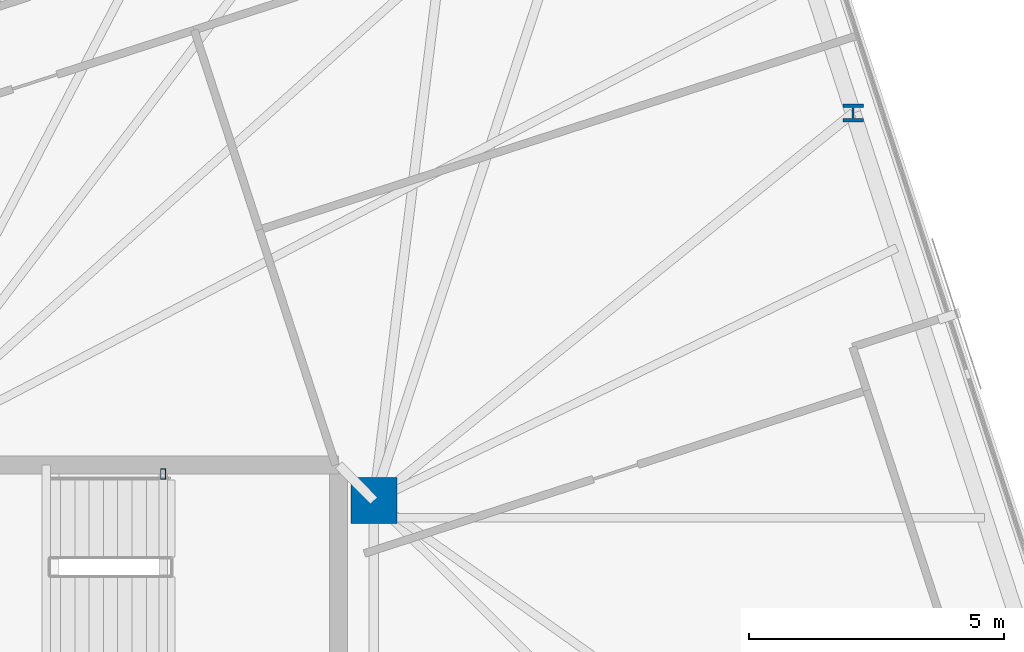
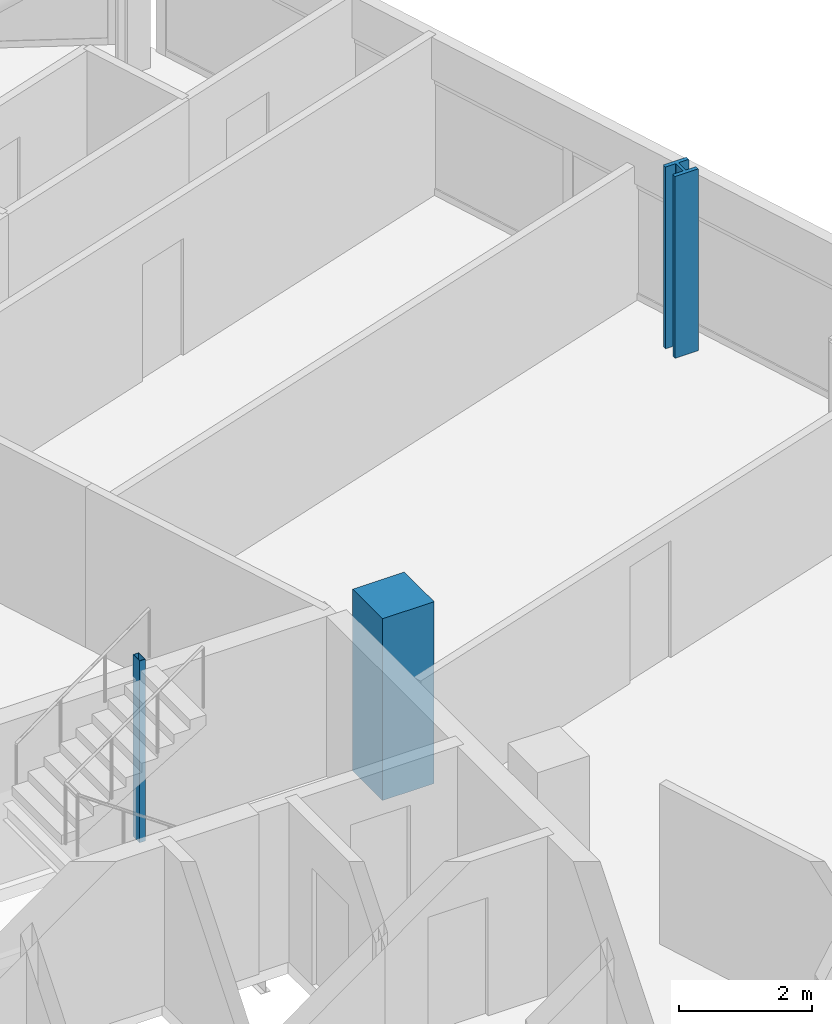
# One storey, part 3 of 19: 3 columns.
"""IFC4 building model written with IfcOpenShell, lengths in metres."""

from ifc_helpers import new_model, si_unit, direction, frame, origin, origin_2d, place, context, subcontext, project, spatial, rectangle, hollow_rectangle, i_section, extrude, material, material_profile, profile_set, type_object, element, save


model = new_model("IFC4")

# Units and contexts
model_context = context("Model", 3, precision=1e-05, world=origin(), true_north=direction((0.0, 1.0)))
body_context = subcontext(model_context, "Body", "Model", "MODEL_VIEW")
ifc_project = project(units=[si_unit("LENGTHUNIT", "METRE"), si_unit("AREAUNIT", "SQUARE_METRE"), si_unit("VOLUMEUNIT", "CUBIC_METRE"), si_unit("PLANEANGLEUNIT", "RADIAN"), si_unit("MASSUNIT", "GRAM", prefix="KILO")], contexts=[model_context])

# Site, building, storey
site_placement = place(None, origin())
site = spatial("IfcSite", under=ifc_project, at=site_placement, CompositionType="ELEMENT")
building_placement = place(site_placement, origin())
building = spatial("IfcBuilding", under=site, at=building_placement, Name="Menara Jurai Vektor", CompositionType="ELEMENT")
storey_placement = place(building_placement, frame((0.0, 0.0, 251.10009765625)))
storey = spatial("IfcBuildingStorey", under=building, at=storey_placement, Name="L67", CompositionType="ELEMENT", Elevation=251.10009765625)

# Columns
ifc_material_1 = material(Name="Concrete C50/60", Category="concrete")
ifc_material_profile_1 = material_profile(ifc_material_1, rectangle(XDim=0.89990234375, YDim=0.89990234375, at=origin_2d()), Name="RC 900x900")
ifc_profile_set_1 = profile_set([ifc_material_profile_1], Name="Concrete C50/60")
column_type_1 = type_object("IfcColumnType", Name="STR-COL-RC900", PredefinedType="COLUMN", material=ifc_profile_set_1)
column_1_placement = place(storey_placement, frame((15.25, 4.89990234375, 0.0), z_axis=(0.0, 0.0, 1.0), x_axis=(1.0, 0.0, 0.0)))
element("IfcColumn", 1, at=column_1_placement, inside=storey, type_object=column_type_1, Name="Core Spine Column CE-NE L67", PredefinedType="COLUMN", context=body_context, shape_type="SweptSolid", body=[
    extrude(rectangle(XDim=0.89990234375, YDim=0.89990234375, at=origin_2d()), origin(), (0.0, 0.0, 1.0), 3.349853515625),
])
ifc_material_2 = material(Name="Steel S355", Category="steel")
ifc_material_profile_2 = material_profile(ifc_material_2, hollow_rectangle(XDim=0.10009765625, YDim=0.199951171875, WallThickness=0.008056640625, at=origin_2d()), Name="RHS 200x100x8")
ifc_profile_set_2 = profile_set([ifc_material_profile_2], Name="Steel S355")
column_type_2 = type_object("IfcColumnType", Name="STR-COL-STAIR", PredefinedType="COLUMN", material=ifc_profile_set_2)
column_2_placement = place(storey_placement, frame((11.1201171875, 5.419921875, 0.0), z_axis=(0.0, 0.0, 1.0), x_axis=(1.0, 0.0, 0.0)))
element("IfcColumn", 2, at=column_2_placement, inside=storey, type_object=column_type_2, Name="Stair Well Header Column ST2-P2 L67", PredefinedType="COLUMN", context=body_context, shape_type="SweptSolid", body=[
    extrude(hollow_rectangle(XDim=0.10009765625, YDim=0.199951171875, WallThickness=0.008056640625, at=origin_2d()), origin(), (0.0, 0.0, 1.0), 3.349853515625),
])
ifc_material_3 = material(Name="Steel S460", Category="steel")
ifc_material_profile_3 = material_profile(ifc_material_3, i_section(OverallWidth=0.405029296875, OverallDepth=0.35498046875, WebThickness=0.0419921875, FlangeThickness=0.068115234375, FilletRadius=0.014892578125, at=origin_2d()), Name="HD 400x551")
ifc_profile_set_3 = profile_set([ifc_material_profile_3], Name="Steel S460")
column_type_3 = type_object("IfcColumnType", Name="STR-EXO-BLK4", PredefinedType="COLUMN", material=ifc_profile_set_3)
column_3_placement = place(storey_placement, frame((24.641845703125, 12.496826171875, 0.0), z_axis=(0.0, 0.0, 1.0), x_axis=(1.0, 0.0, 0.0)))
element("IfcColumn", 3, at=column_3_placement, inside=storey, type_object=column_type_3, Name="Exoskeleton Column BLK4-E3 L67", PredefinedType="COLUMN", context=body_context, shape_type="SweptSolid", body=[
    extrude(i_section(OverallWidth=0.405029296875, OverallDepth=0.35498046875, WebThickness=0.0419921875, FlangeThickness=0.068115234375, FilletRadius=0.014892578125, at=origin_2d()), origin(), (0.0, 0.0, 1.0), 3.349853515625),
])

save(model, "model.ifc")
